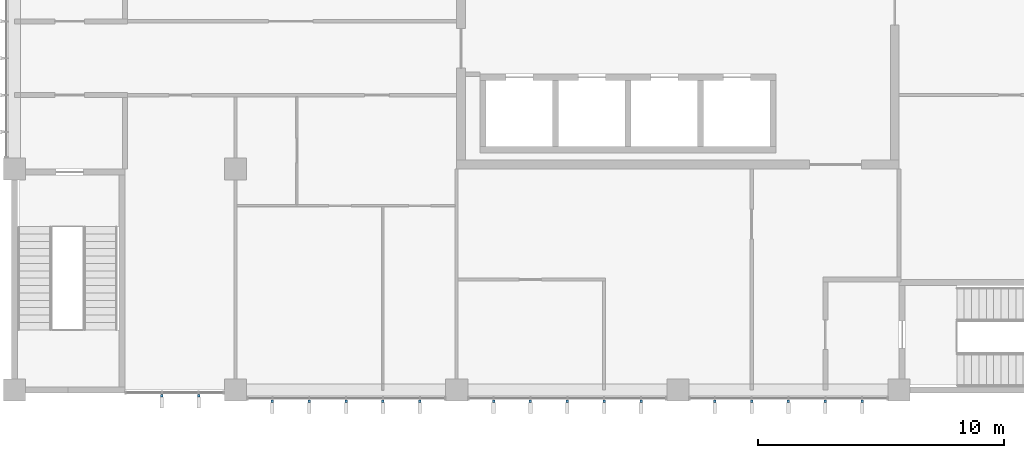
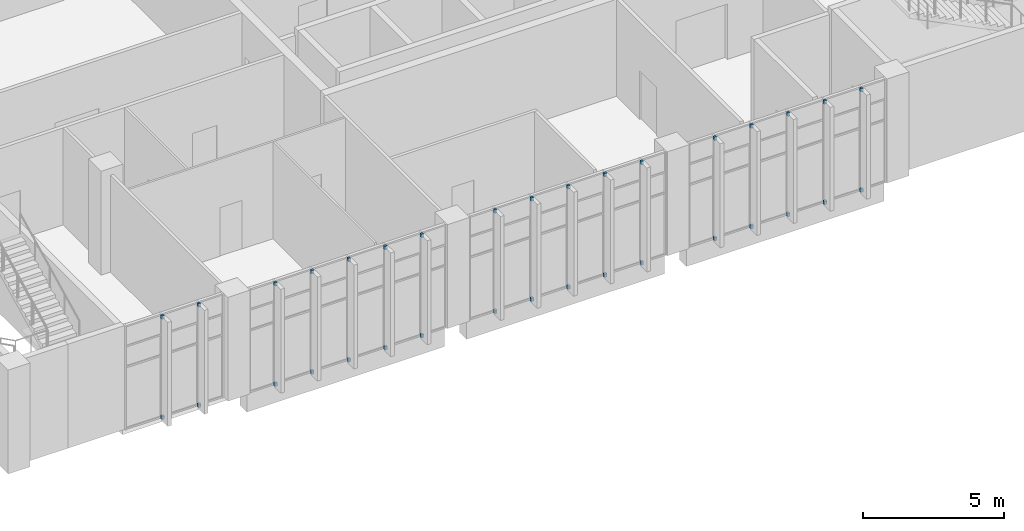
# One storey, part 70 of 79: 34 discrete accessories.
"""IFC4 building model written with IfcOpenShell, lengths in metres."""

from ifc_helpers import new_model, si_unit, direction, frame, origin, origin_2d, place, context, subcontext, project, spatial, rectangle, extrude, material, type_object, element, save


model = new_model("IFC4")

# Units and contexts
model_context = context("Model", 3, precision=1e-05, world=origin(), true_north=direction((0.0, 1.0)))
body_context = subcontext(model_context, "Body", "Model", "MODEL_VIEW")
ifc_project = project(units=[si_unit("LENGTHUNIT", "METRE"), si_unit("AREAUNIT", "SQUARE_METRE"), si_unit("VOLUMEUNIT", "CUBIC_METRE"), si_unit("PLANEANGLEUNIT", "RADIAN"), si_unit("MASSUNIT", "GRAM", prefix="KILO")], contexts=[model_context])

# Site, building, storey
site_placement = place(None, origin())
site = spatial("IfcSite", under=ifc_project, at=site_placement, CompositionType="ELEMENT")
building_placement = place(site_placement, origin())
building = spatial("IfcBuilding", under=site, at=building_placement, Name="Guidao Yard Department Store", CompositionType="ELEMENT")
storey_placement = place(building_placement, frame((0.0, 0.0, 15.0)))
storey = spatial("IfcBuildingStorey", under=building, at=storey_placement, Name="L03", CompositionType="ELEMENT", Elevation=15.0)

# Discrete accessories
ifc_material = material(Name="Steel Q355B", Category="steel")
discrete_accessory_type = type_object("IfcDiscreteAccessoryType", Name="Fin bracket BR3 steel plate", PredefinedType="BRACKET", material=ifc_material)
for number, where, z_axis, x_axis, name in (
    (1, (132.0, -0.22998046875, 0.0), (0.0, 0.0, 1.0), (-1.0, 0.0, 0.0), "Fin bracket"),
    (2, (132.0, -0.22998046875, 4.35009765625), (0.0, 0.0, 1.0), (-1.0, 0.0, 0.0), "Fin bracket"),
    (3, (133.5, -0.22998046875, 0.0), (0.0, 0.0, 1.0), (-1.0, 0.0, 0.0), "Fin bracket"),
    (4, (133.5, -0.22998046875, 4.35009765625), (0.0, 0.0, 1.0), (-1.0, 0.0, 0.0), "Fin bracket"),
    (5, (136.5, -0.4599609375, 0.0), (0.0, 0.0, 1.0), (-1.0, 0.0, 0.0), "Fin bracket"),
    (6, (136.5, -0.4599609375, 4.35009765625), (0.0, 0.0, 1.0), (-1.0, 0.0, 0.0), "Fin bracket"),
    (7, (138.0, -0.4599609375, 0.0), (0.0, 0.0, 1.0), (-1.0, 0.0, 0.0), "Fin bracket"),
    (8, (138.0, -0.4599609375, 4.35009765625), (0.0, 0.0, 1.0), (-1.0, 0.0, 0.0), "Fin bracket"),
    (9, (139.5, -0.4599609375, 0.0), (0.0, 0.0, 1.0), (-1.0, 0.0, 0.0), "Fin bracket"),
    (10, (139.5, -0.4599609375, 4.35009765625), (0.0, 0.0, 1.0), (-1.0, 0.0, 0.0), "Fin bracket"),
    (11, (141.0, -0.4599609375, 0.0), (0.0, 0.0, 1.0), (-1.0, 0.0, 0.0), "Fin bracket"),
    (12, (141.0, -0.4599609375, 4.35009765625), (0.0, 0.0, 1.0), (-1.0, 0.0, 0.0), "Fin bracket"),
    (13, (142.5, -0.4599609375, 0.0), (0.0, 0.0, 1.0), (-1.0, 0.0, 0.0), "Fin bracket"),
    (14, (142.5, -0.4599609375, 4.35009765625), (0.0, 0.0, 1.0), (-1.0, 0.0, 0.0), "Fin bracket"),
    (15, (145.5, -0.4599609375, 0.0), (0.0, 0.0, 1.0), (-1.0, 0.0, 0.0), "Fin bracket"),
    (16, (145.5, -0.4599609375, 4.35009765625), (0.0, 0.0, 1.0), (-1.0, 0.0, 0.0), "Fin bracket"),
    (17, (147.0, -0.4599609375, 0.0), (0.0, 0.0, 1.0), (-1.0, 0.0, 0.0), "Fin bracket"),
    (18, (147.0, -0.4599609375, 4.35009765625), (0.0, 0.0, 1.0), (-1.0, 0.0, 0.0), "Fin bracket"),
    (19, (148.5, -0.4599609375, 0.0), (0.0, 0.0, 1.0), (-1.0, 0.0, 0.0), "Fin bracket"),
    (20, (148.5, -0.4599609375, 4.35009765625), (0.0, 0.0, 1.0), (-1.0, 0.0, 0.0), "Fin bracket"),
    (21, (150.0, -0.4599609375, 0.0), (0.0, 0.0, 1.0), (-1.0, 0.0, 0.0), "Fin bracket"),
    (22, (150.0, -0.4599609375, 4.35009765625), (0.0, 0.0, 1.0), (-1.0, 0.0, 0.0), "Fin bracket"),
    (23, (151.5, -0.4599609375, 0.0), (0.0, 0.0, 1.0), (-1.0, 0.0, 0.0), "Fin bracket"),
    (24, (151.5, -0.4599609375, 4.35009765625), (0.0, 0.0, 1.0), (-1.0, 0.0, 0.0), "Fin bracket"),
    (25, (154.5, -0.4599609375, 0.0), (0.0, 0.0, 1.0), (-1.0, 0.0, 0.0), "Fin bracket"),
    (26, (154.5, -0.4599609375, 4.35009765625), (0.0, 0.0, 1.0), (-1.0, 0.0, 0.0), "Fin bracket"),
    (27, (156.0, -0.4599609375, 0.0), (0.0, 0.0, 1.0), (-1.0, 0.0, 0.0), "Fin bracket"),
    (28, (156.0, -0.4599609375, 4.35009765625), (0.0, 0.0, 1.0), (-1.0, 0.0, 0.0), "Fin bracket"),
    (29, (157.5, -0.4599609375, 0.0), (0.0, 0.0, 1.0), (-1.0, 0.0, 0.0), "Fin bracket"),
    (30, (157.5, -0.4599609375, 4.35009765625), (0.0, 0.0, 1.0), (-1.0, 0.0, 0.0), "Fin bracket"),
    (31, (159.0, -0.4599609375, 0.0), (0.0, 0.0, 1.0), (-1.0, 0.0, 0.0), "Fin bracket"),
    (32, (159.0, -0.4599609375, 4.35009765625), (0.0, 0.0, 1.0), (-1.0, 0.0, 0.0), "Fin bracket"),
    (33, (160.5, -0.4599609375, 0.0), (0.0, 0.0, 1.0), (-1.0, 0.0, 0.0), "Fin bracket"),
    (34, (160.5, -0.4599609375, 4.35009765625), (0.0, 0.0, 1.0), (-1.0, 0.0, 0.0), "Fin bracket"),
):
    element("IfcDiscreteAccessory", number, at=place(storey_placement, frame(where, z_axis=z_axis, x_axis=x_axis)), inside=storey, type_object=discrete_accessory_type, Name=name, PredefinedType="BRACKET", context=body_context, shape_type="SweptSolid", body=[
        extrude(rectangle(XDim=0.10009765625, YDim=0.10009765625, at=origin_2d()), origin(), (0.0, 0.0, 1.0), 0.14990234375),
    ])

save(model, "model.ifc")
